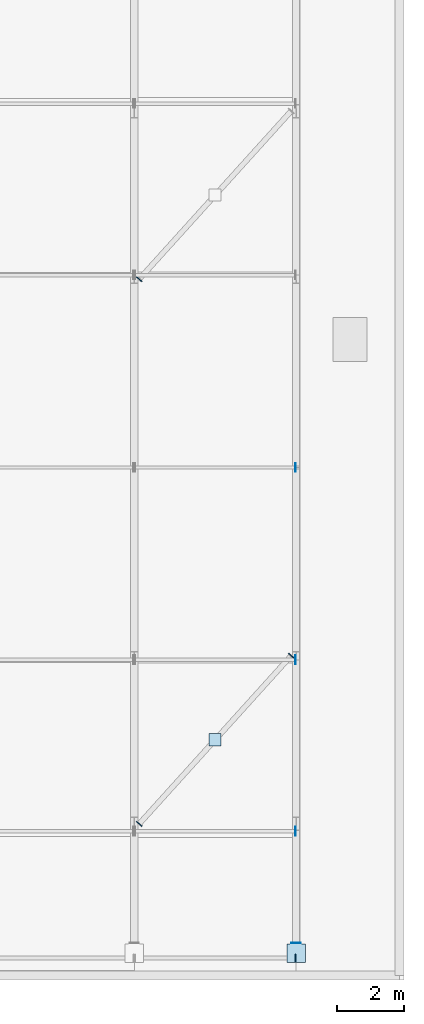
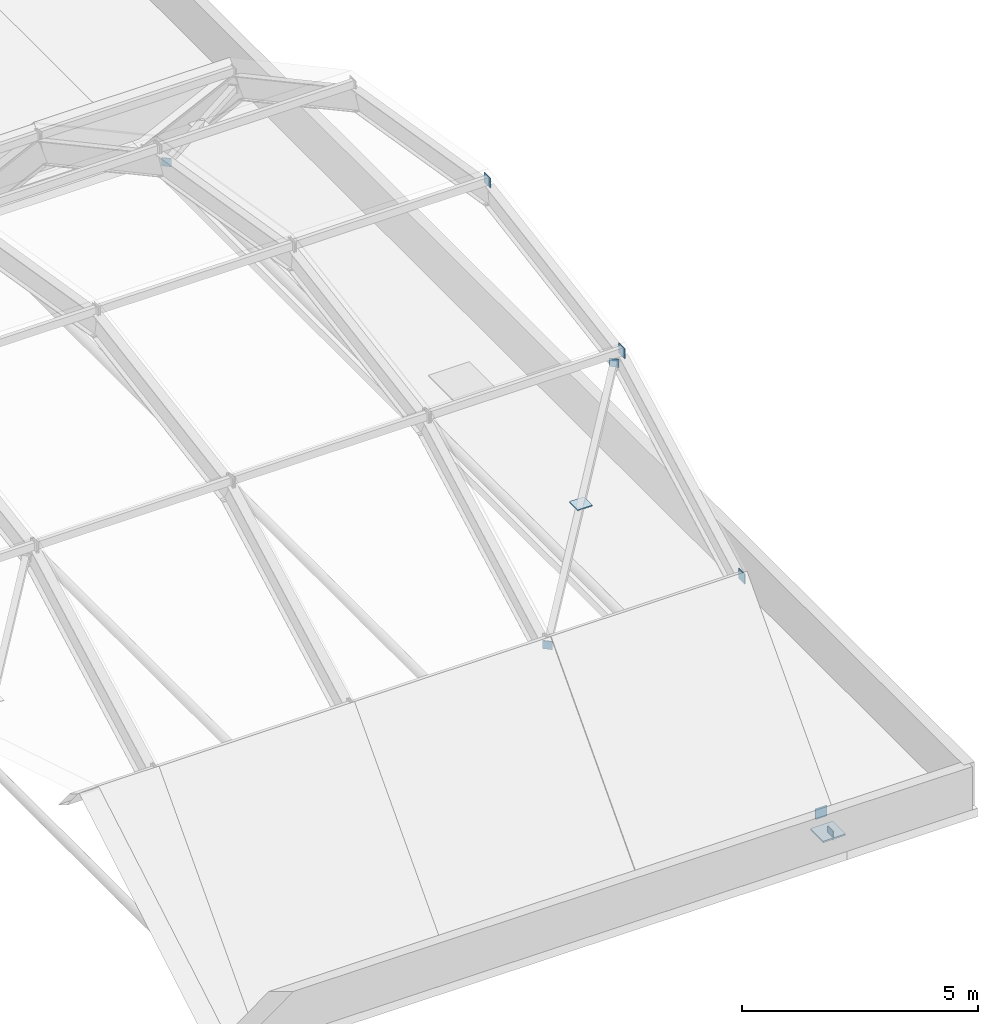
# One storey, part 7 of 10: 10 plates.
"""IFC4 building model written with IfcOpenShell, lengths in metres."""

from ifc_helpers import new_model, si_unit, direction, frame, origin, origin_2d, place, context, subcontext, project, spatial, rectangle, extrude, material, layer, layer_set, type_object, element, save


model = new_model("IFC4")

# Units and contexts
model_context = context("Model", 3, precision=1e-05, world=origin(), true_north=direction((0.0, 1.0)))
body_context = subcontext(model_context, "Body", "Model", "MODEL_VIEW")
ifc_project = project(units=[si_unit("LENGTHUNIT", "METRE"), si_unit("AREAUNIT", "SQUARE_METRE"), si_unit("VOLUMEUNIT", "CUBIC_METRE"), si_unit("PLANEANGLEUNIT", "RADIAN"), si_unit("MASSUNIT", "GRAM", prefix="KILO")], contexts=[model_context])

# Site, building, storey
site_placement = place(None, origin())
site = spatial("IfcSite", under=ifc_project, at=site_placement, CompositionType="ELEMENT")
building_placement = place(site_placement, origin())
building = spatial("IfcBuilding", under=site, at=building_placement, Name="Zantavel Square City Hall", CompositionType="ELEMENT")
storey_placement = place(building_placement, frame((0.0, 0.0, 28.5)))
storey = spatial("IfcBuildingStorey", under=building, at=storey_placement, Name="RF", CompositionType="ELEMENT", Elevation=28.5)

# Plates
ifc_material = material(Name="Steel ASTM A572 Grade 50", Category="steel")
ifc_layer_1 = layer(ifc_material, 0.01806640625, Name="Steel ASTM A572 Grade 50")
ifc_layer_set_1 = layer_set([ifc_layer_1], Name="Steel ASTM A572 Grade 50")
plate_type_1 = type_object("IfcPlateType", Name="CHS 219 End Cap Plate 18mm", PredefinedType="SHEET", material=ifc_layer_set_1)
plate_1_placement = place(storey_placement, frame((100.800048828125, 31.493896484375, 0.212646484375), z_axis=(0.0, 0.0, 1.0), x_axis=(0.0, 1.0, 0.0)))
element("IfcPlate", 1, at=plate_1_placement, inside=storey, type_object=plate_type_1, Name="Barrel Vault Rib 8 Tension Tie End Cap 1", PredefinedType="SHEET", context=body_context, shape_type="SweptSolid", body=[
    extrude(rectangle(XDim=0.01806640625, YDim=0.27490234375, at=origin_2d()), origin(), (0.0, 0.0, 1.0), 0.27490234375),
])
ifc_layer_2 = layer(ifc_material, 0.01611328125, Name="Steel ASTM A572 Grade 50")
ifc_layer_set_2 = layer_set([ifc_layer_2], Name="Steel ASTM A572 Grade 50")
plate_type_2 = type_object("IfcPlateType", Name="HSS 152x152 End Cap Plate 16mm", PredefinedType="SHEET", material=ifc_layer_set_2)
for number, where, z_axis, x_axis, name in (
    (2, (96.146240234375, 35.029296875, 4.062255859375), (0.0, 0.0, 1.0), (0.670437637843, 0.741965884501, 0.0), "Vault Wind Brace B7-C2 End Cap 1"),
    (3, (100.65380859375, 40.017578125, 6.764404296875), (0.0, 0.0, 1.0), (0.670437637843, 0.741965884501, 0.0), "Vault Wind Brace B7-C2 End Cap 2"),
    (4, (96.146240234375, 51.182373046875, 6.764404296875), (0.0, 0.0, 1.0), (0.670437637843, 0.741965884501, 0.0), "Vault Wind Brace B7-C5 End Cap 1"),
):
    element("IfcPlate", number, at=place(storey_placement, frame(where, z_axis=z_axis, x_axis=x_axis)), inside=storey, type_object=plate_type_2, Name=name, PredefinedType="SHEET", context=body_context, shape_type="SweptSolid", body=[
        extrude(rectangle(XDim=0.02392578125, YDim=0.2099609375, at=origin_2d()), origin(), (0.0, 0.0, 1.0), 0.2099609375),
    ])
ifc_layer_3 = layer(ifc_material, 0.01611328125, Name="Steel ASTM A572 Grade 50")
ifc_layer_set_3 = layer_set([ifc_layer_3], Name="Steel ASTM A572 Grade 50")
plate_type_3 = type_object("IfcPlateType", Name="HSS 178x127 End Cap Plate 16mm", PredefinedType="SHEET", material=ifc_layer_set_3)
plate_2_placement = place(storey_placement, frame((100.77587890625, 31.050048828125, -0.0283203125), z_axis=(0.0, 0.0, 1.0), x_axis=(1.0, 0.0, 0.0)))
element("IfcPlate", 5, at=plate_2_placement, inside=storey, type_object=plate_type_3, Name="Vault Bay 7 Purlin 1 End Cap 2", PredefinedType="SHEET", context=body_context, shape_type="SweptSolid", body=[
    extrude(rectangle(XDim=0.01611328125, YDim=0.235107421875, at=origin_2d()), origin(), (0.0, 0.0, 1.0), 0.235107421875),
])
ifc_layer_4 = layer(ifc_material, 0.01611328125, Name="Steel ASTM A572 Grade 50")
ifc_layer_set_4 = layer_set([ifc_layer_4], Name="Steel ASTM A572 Grade 50")
plate_type_4 = type_object("IfcPlateType", Name="HSS 203x102 End Cap Plate 16mm", PredefinedType="SHEET", material=ifc_layer_set_4)
for number, where, z_axis, x_axis, name in (
    (6, (100.77587890625, 34.8076171875, 4.32958984375), (0.0, 0.0, 1.0), (1.0, 0.0, 0.0), "Vault Bay 7 Purlin 2 End Cap 2"),
    (7, (100.77587890625, 39.89404296875, 7.08447265625), (0.0, 0.0, 1.0), (1.0, 0.0, 0.0), "Vault Bay 7 Purlin 3 End Cap 2"),
    (8, (100.77587890625, 45.60009765625, 8.03759765625), (0.0, 0.0, 1.0), (1.0, 0.0, 0.0), "Vault Bay 7 Purlin 4 End Cap 2"),
):
    element("IfcPlate", number, at=place(storey_placement, frame(where, z_axis=z_axis, x_axis=x_axis)), inside=storey, type_object=plate_type_4, Name=name, PredefinedType="SHEET", context=body_context, shape_type="SweptSolid", body=[
        extrude(rectangle(XDim=0.01611328125, YDim=0.260009765625, at=origin_2d()), origin(), (0.0, 0.0, 1.0), 0.260009765625),
    ])
ifc_layer_5 = layer(ifc_material, 0.0400390625, Name="Steel ASTM A572 Grade 50")
ifc_layer_set_5 = layer_set([ifc_layer_5], Name="Steel ASTM A572 Grade 50")
plate_type_5 = type_object("IfcPlateType", Name="Vault Arch Base Shoe Plate 550x550x40", PredefinedType="SHEET", material=ifc_layer_set_5)
plate_3_placement = place(storey_placement, frame((100.800048828125, 31.199951171875, 0.0), z_axis=(0.0, 0.0, 1.0), x_axis=(1.0, 0.0, 0.0)))
element("IfcPlate", 9, at=plate_3_placement, inside=storey, type_object=plate_type_5, Name="Barrel Vault Rib 8 Base Shoe Plate 1", PredefinedType="SHEET", context=body_context, shape_type="SweptSolid", body=[
    extrude(rectangle(XDim=0.550048828125, YDim=0.550048828125, at=origin_2d()), origin(), (0.0, 0.0, 1.0), 0.0400390625),
])
ifc_layer_6 = layer(ifc_material, 0.02392578125, Name="Steel ASTM A572 Grade 50")
ifc_layer_set_6 = layer_set([ifc_layer_6], Name="Steel ASTM A572 Grade 50")
plate_type_6 = type_object("IfcPlateType", Name="Vault Brace Gusset Plate 360x360x24", PredefinedType="USERDEFINED", material=ifc_layer_set_6)
plate_4_placement = place(storey_placement, frame((98.39990234375, 37.5234375, 5.50634765625), z_axis=(0.0, 0.0, 1.0), x_axis=(1.0, 0.0, 0.0)))
element("IfcPlate", 10, at=plate_4_placement, inside=storey, type_object=plate_type_6, Name="Vault Brace Gusset B7-C2", ObjectType="GUSSET PLATE", PredefinedType="USERDEFINED", context=body_context, shape_type="SweptSolid", body=[
    extrude(rectangle(XDim=0.360107421875, YDim=0.360107421875, at=origin_2d()), origin(), (0.0, 0.0, 1.0), 0.02392578125),
])

save(model, "model.ifc")
